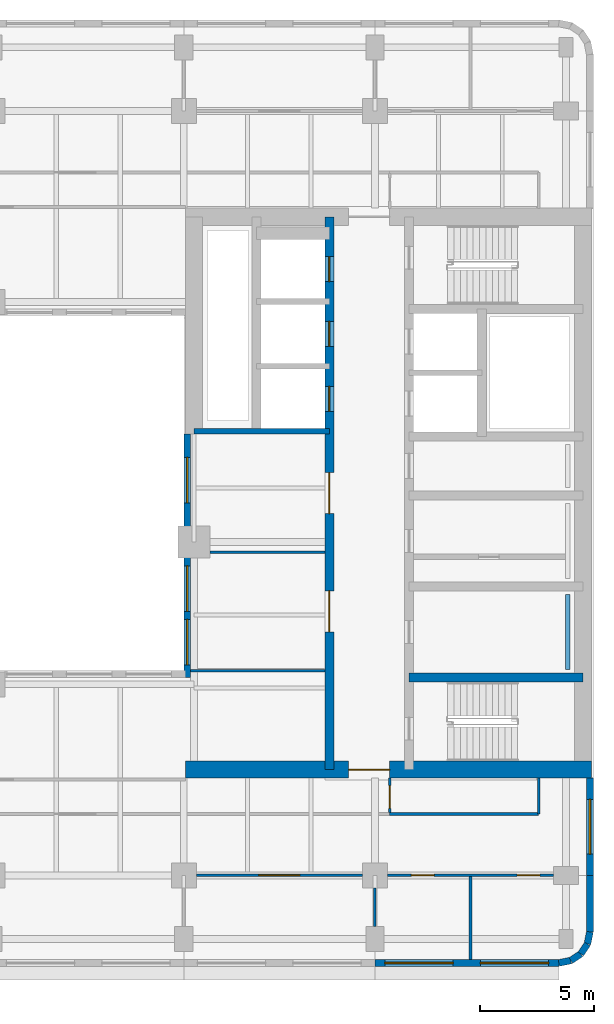
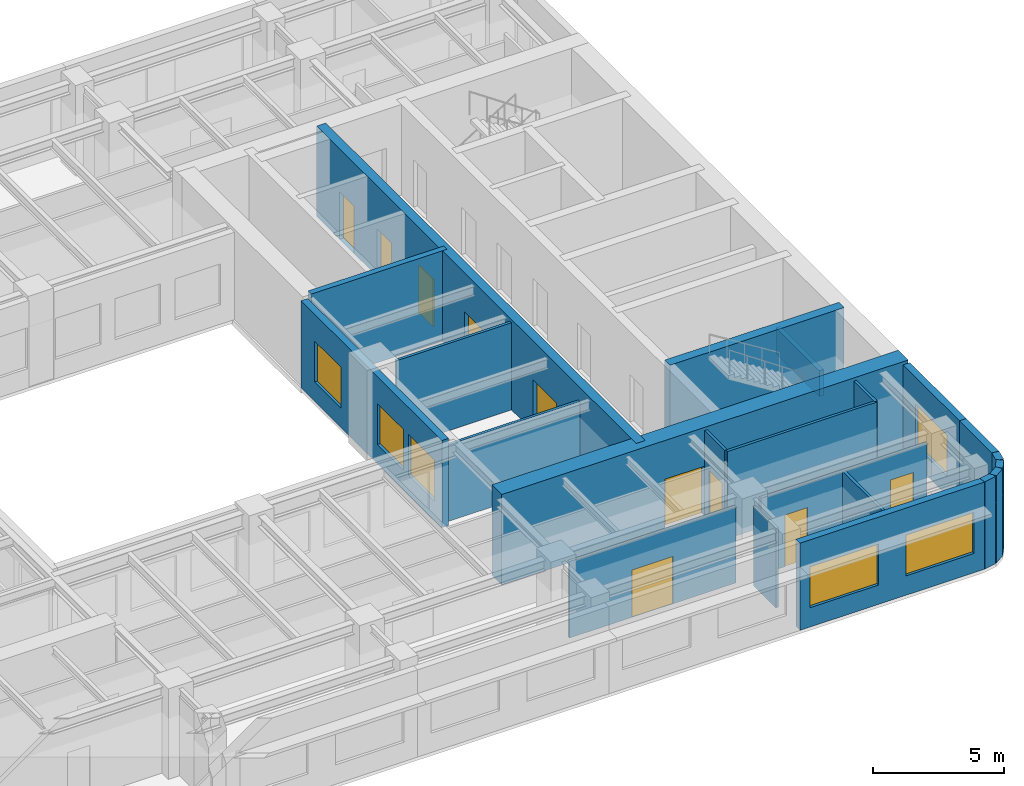
# One storey, part 5 of 11: 22 walls, 10 doors, 6 windows, 16 openings.
"""IFC4 building model written with IfcOpenShell, lengths in metres."""

from ifc_helpers import new_model, si_unit, direction, frame, frame_2d, origin, place, context, subcontext, project, spatial, rectangle, extrude, material, layer, layer_set, type_object, element, fill, save


model = new_model("IFC4")

# Units and contexts
model_context = context("Model", 3, precision=1e-05, world=origin(), true_north=direction((0.0, 1.0)))
body_context = subcontext(model_context, "Body", "Model", "MODEL_VIEW")
ifc_project = project(units=[si_unit("LENGTHUNIT", "METRE"), si_unit("AREAUNIT", "SQUARE_METRE"), si_unit("VOLUMEUNIT", "CUBIC_METRE"), si_unit("PLANEANGLEUNIT", "RADIAN"), si_unit("MASSUNIT", "GRAM", prefix="KILO")], contexts=[model_context])

# Site, building, storey
site_placement = place(None, origin())
site = spatial("IfcSite", under=ifc_project, at=site_placement, CompositionType="ELEMENT")
building_placement = place(site_placement, origin())
building = spatial("IfcBuilding", under=site, at=building_placement, Name="Claustro Exchange Tower", CompositionType="ELEMENT")
storey_placement = place(building_placement, frame((0.0, 0.0, 186.0)))
storey = spatial("IfcBuildingStorey", under=building, at=storey_placement, Name="L42", CompositionType="ELEMENT", Elevation=186.0)

# Walls
ifc_material_1 = material(Name="Laminated glass in aluminium frame", Category="aluminium")
ifc_layer_1 = layer(ifc_material_1, 0.1201171875)
ifc_layer_set_1 = layer_set([ifc_layer_1], Name="Laminated glass in aluminium frame")
wall_type_1 = type_object("IfcWallType", Name="P2 120 glazed partition", PredefinedType="PARTITIONING", material=ifc_layer_set_1)
wall_1_placement = place(storey_placement, frame((33.89794921875, 17.39990234375, 0.0), z_axis=(0.0, 0.0, 1.0), x_axis=(1.0, 0.0, 0.0)))
element("IfcWall", 1, at=wall_1_placement, inside=storey, type_object=wall_type_1, Name="Partition P2 L42", PredefinedType="PARTITIONING", context=body_context, shape_type="SweptSolid", body=[
    extrude(rectangle(XDim=5.904052734375, YDim=0.1201171875, at=frame_2d((2.9521484375, 0.0))), origin(), (0.0, 0.0, 1.0), 3.550048828125),
])
wall_2_placement = place(storey_placement, frame((34.7490234375, 22.60009765625, 0.0), z_axis=(0.0, 0.0, 1.0), x_axis=(1.0, 0.0, 0.0)))
element("IfcWall", 2, at=wall_2_placement, inside=storey, type_object=wall_type_1, Name="Partition P2 L42", PredefinedType="PARTITIONING", context=body_context, shape_type="SweptSolid", body=[
    extrude(rectangle(XDim=5.052978515625, YDim=0.1201171875, at=frame_2d((2.5263671875, 0.0))), origin(), (0.0, 0.0, 1.0), 4.050048828125),
])

# Wall, opening, door
wall_3_placement = place(storey_placement, frame((34.14892578125, 8.39990234375, 0.0), z_axis=(0.0, 0.0, 1.0), x_axis=(1.0, 0.0, 0.0)))
wall_3 = element("IfcWall", 3, at=wall_3_placement, inside=storey, type_object=wall_type_1, Name="Partition P2 L42", PredefinedType="PARTITIONING", context=body_context, shape_type="SweptSolid", body=[
    extrude(rectangle(XDim=7.302001953125, YDim=0.1201171875, at=frame_2d((3.65087890625, 0.0))), origin(), (0.0, 0.0, 1.0), 3.550048828125),
])
opening_1_placement = place(wall_3_placement, frame((2.7509765625, 0.0, 0.0)))
opening_1 = element("IfcOpeningElement", 4, at=opening_1_placement, cuts=wall_3, Name="Opening D2", PredefinedType="OPENING", context=body_context, shape_type="SweptSolid", body=[
    extrude(rectangle(XDim=1.800048828125, YDim=2.199951171875, at=frame_2d((0.89990234375, 1.10009765625))), frame((0.0, 0.070068359375, 0.0), z_axis=(0.0, -1.0, 0.0), x_axis=(1.0, 0.0, 0.0)), (0.0, 0.0, 1.0), 0.14013671875),
])
ifc_material_2 = material(Name="Timber door, oak veneer", Category="wood")
door_type_1 = type_object("IfcDoorType", Name="D2 1800 x 2200 double door", OperationType="DOUBLE_DOOR_SINGLE_SWING", PredefinedType="DOOR", material=ifc_material_2)
door_1_placement = place(opening_1_placement, frame((1.800048828125, 0.0, 0.0), z_axis=(0.0, 0.0, 1.0), x_axis=(-1.0, 0.0, 0.0)))
door_1 = element("IfcDoor", 5, at=door_1_placement, inside=storey, type_object=door_type_1, Name="Double door D2 L42", OperationType="DOUBLE_DOOR_SINGLE_SWING", OverallHeight=2.199951171875, OverallWidth=1.800048828125, PredefinedType="DOOR", context=body_context, shape_type="SweptSolid", body=[
    extrude(rectangle(XDim=1.800048828125, YDim=2.199951171875, at=frame_2d((0.89990234375, 1.10009765625))), frame((0.0, 0.02490234375, 0.0), z_axis=(0.0, -1.0, 0.0), x_axis=(1.0, 0.0, 0.0)), (0.0, 0.0, 1.0), 0.050048828125),
])
fill(opening_1, door_1)

# Wall, openings, doors
wall_4_placement = place(storey_placement, frame((42.549072265625, 8.39990234375, 0.0), z_axis=(0.0, 0.0, 1.0), x_axis=(1.0, 0.0, 0.0)))
wall_4 = element("IfcWall", 6, at=wall_4_placement, inside=storey, type_object=wall_type_1, Name="Partition P2 L42", PredefinedType="PARTITIONING", context=body_context, shape_type="SweptSolid", body=[
    extrude(rectangle(XDim=7.302001953125, YDim=0.1201171875, at=frame_2d((3.65087890625, 0.0))), origin(), (0.0, 0.0, 1.0), 3.550048828125),
])
opening_2_placement = place(wall_4_placement, frame((1.051025390625, 0.0, 0.0)))
opening_2 = element("IfcOpeningElement", 7, at=opening_2_placement, cuts=wall_4, Name="Opening D7", PredefinedType="OPENING", context=body_context, shape_type="SweptSolid", body=[
    extrude(rectangle(XDim=1.0, YDim=2.39990234375, at=frame_2d((0.5, 1.199951171875))), frame((0.0, 0.070068359375, 0.0), z_axis=(0.0, -1.0, 0.0), x_axis=(1.0, 0.0, 0.0)), (0.0, 0.0, 1.0), 0.14013671875),
])
opening_3_placement = place(wall_4_placement, frame((5.700927734375, 0.0, 0.0)))
opening_3 = element("IfcOpeningElement", 8, at=opening_3_placement, cuts=wall_4, Name="Opening D7", PredefinedType="OPENING", context=body_context, shape_type="SweptSolid", body=[
    extrude(rectangle(XDim=1.0, YDim=2.39990234375, at=frame_2d((0.5, 1.199951171875))), frame((0.0, 0.070068359375, 0.0), z_axis=(0.0, -1.0, 0.0), x_axis=(1.0, 0.0, 0.0)), (0.0, 0.0, 1.0), 0.14013671875),
])
ifc_material_3 = material(Name="Glass door in aluminium frame", Category="aluminium")
door_type_2 = type_object("IfcDoorType", Name="D7 1000 x 2400 glazed door", OperationType="SINGLE_SWING_LEFT", PredefinedType="DOOR", material=ifc_material_3)
door_2_placement = place(opening_2_placement, frame((1.0, 0.0, 0.0), z_axis=(0.0, 0.0, 1.0), x_axis=(-1.0, 0.0, 0.0)))
door_2 = element("IfcDoor", 9, at=door_2_placement, inside=storey, type_object=door_type_2, Name="Door D7 L42", OperationType="SINGLE_SWING_RIGHT", OverallHeight=2.39990234375, OverallWidth=1.0, PredefinedType="DOOR", context=body_context, shape_type="SweptSolid", body=[
    extrude(rectangle(XDim=1.0, YDim=2.39990234375, at=frame_2d((0.5, 1.199951171875))), frame((0.0, 0.02490234375, 0.0), z_axis=(0.0, -1.0, 0.0), x_axis=(1.0, 0.0, 0.0)), (0.0, 0.0, 1.0), 0.050048828125),
])
fill(opening_2, door_2)
door_3_placement = place(opening_3_placement, frame((1.0, 0.0, 0.0), z_axis=(0.0, 0.0, 1.0), x_axis=(-1.0, 0.0, 0.0)))
door_3 = element("IfcDoor", 10, at=door_3_placement, inside=storey, type_object=door_type_2, Name="Door D7 L42", OperationType="SINGLE_SWING_RIGHT", OverallHeight=2.39990234375, OverallWidth=1.0, PredefinedType="DOOR", context=body_context, shape_type="SweptSolid", body=[
    extrude(rectangle(XDim=1.0, YDim=2.39990234375, at=frame_2d((0.5, 1.199951171875))), frame((0.0, 0.02490234375, 0.0), z_axis=(0.0, -1.0, 0.0), x_axis=(1.0, 0.0, 0.0)), (0.0, 0.0, 1.0), 0.050048828125),
])
fill(opening_3, door_3)

# Walls
wall_5_placement = place(storey_placement, frame((42.0, 6.14892578125, 0.0), z_axis=(0.0, 0.0, 1.0), x_axis=(0.0, 1.0, 0.0)))
element("IfcWall", 11, at=wall_5_placement, inside=storey, type_object=wall_type_1, Name="Partition P2 L42", PredefinedType="PARTITIONING", context=body_context, shape_type="SweptSolid", body=[
    extrude(rectangle(XDim=1.7021484375, YDim=0.1201171875, at=frame_2d((0.85107421875, 0.0))), origin(), (0.0, 0.0, 1.0), 3.68994140625),
])
wall_6_placement = place(storey_placement, frame((46.199951171875, 4.699951171875, 0.0), z_axis=(0.0, 0.0, 1.0), x_axis=(0.0, 1.0, 0.0)))
element("IfcWall", 12, at=wall_6_placement, inside=storey, type_object=wall_type_1, Name="Partition P2 L42", PredefinedType="PARTITIONING", context=body_context, shape_type="SweptSolid", body=[
    extrude(rectangle(XDim=3.64208984375, YDim=0.1201171875, at=frame_2d((1.821044921875, 0.0))), origin(), (0.0, 0.0, 1.0), 3.550048828125),
])

# Wall, opening, door
wall_7_placement = place(storey_placement, frame((42.64990234375, 11.157958984375, 0.0), z_axis=(0.0, 0.0, 1.0), x_axis=(0.0, 1.0, 0.0)))
wall_7 = element("IfcWall", 13, at=wall_7_placement, inside=storey, type_object=wall_type_1, Name="Partition P2 L42", PredefinedType="PARTITIONING", context=body_context, shape_type="SweptSolid", body=[
    extrude(rectangle(XDim=1.51806640625, YDim=0.1201171875, at=frame_2d((0.759033203125, 0.0))), origin(), (0.0, 0.0, 1.0), 4.050048828125),
])
opening_4_placement = place(wall_7_placement, frame((0.19189453125, 0.0, 0.0)))
opening_4 = element("IfcOpeningElement", 14, at=opening_4_placement, cuts=wall_7, Name="Opening D7", PredefinedType="OPENING", context=body_context, shape_type="SweptSolid", body=[
    extrude(rectangle(XDim=1.0, YDim=2.39990234375, at=frame_2d((0.5, 1.199951171875))), frame((0.0, 0.070068359375, 0.0), z_axis=(0.0, -1.0, 0.0), x_axis=(1.0, 0.0, 0.0)), (0.0, 0.0, 1.0), 0.14013671875),
])
door_4_placement = place(opening_4_placement, frame((1.0, 0.0, 0.0), z_axis=(0.0, 0.0, 1.0), x_axis=(-1.0, 0.0, 0.0)))
door_4 = element("IfcDoor", 15, at=door_4_placement, inside=storey, type_object=door_type_2, Name="Door D7 L42", OperationType="SINGLE_SWING_RIGHT", OverallHeight=2.39990234375, OverallWidth=1.0, PredefinedType="DOOR", context=body_context, shape_type="SweptSolid", body=[
    extrude(rectangle(XDim=1.0, YDim=2.39990234375, at=frame_2d((0.5, 1.199951171875))), frame((0.0, 0.02490234375, 0.0), z_axis=(0.0, -1.0, 0.0), x_axis=(1.0, 0.0, 0.0)), (0.0, 0.0, 1.0), 0.050048828125),
])
fill(opening_4, door_4)

# Walls
wall_8_placement = place(storey_placement, frame((42.64794921875, 11.10009765625, 0.0), z_axis=(0.0, 0.0, 1.0), x_axis=(1.0, 0.0, 0.0)))
element("IfcWall", 16, at=wall_8_placement, inside=storey, type_object=wall_type_1, Name="Partition P2 L42", PredefinedType="PARTITIONING", context=body_context, shape_type="SweptSolid", body=[
    extrude(rectangle(XDim=6.552001953125, YDim=0.1201171875, at=frame_2d((3.27587890625, 0.0))), origin(), (0.0, 0.0, 1.0), 4.050048828125),
])
wall_9_placement = place(storey_placement, frame((49.199951171875, 11.10009765625, 0.0), z_axis=(0.0, 0.0, 1.0), x_axis=(0.0, 1.0, 0.0)))
element("IfcWall", 17, at=wall_9_placement, inside=storey, type_object=wall_type_1, Name="Partition P2 L42", PredefinedType="PARTITIONING", context=body_context, shape_type="SweptSolid", body=[
    extrude(rectangle(XDim=1.575927734375, YDim=0.1201171875, at=frame_2d((0.7880859375, 0.0))), origin(), (0.0, 0.0, 1.0), 4.050048828125),
])

# Wall, openings, windows
ifc_material_4 = material(Name="Concrete HA-40 (C40/50), precast, white cement, acid-etched", Category="concrete")
ifc_layer_2 = layer(ifc_material_4, 0.300048828125)
ifc_layer_set_2 = layer_set([ifc_layer_2], Name="Concrete HA-40 (C40/50), precast, white cement, acid-etched")
wall_type_2 = type_object("IfcWallType", Name="PC1 300 precast concrete pier panel", PredefinedType="SOLIDWALL", material=ifc_layer_set_2)
wall_10_placement = place(storey_placement, frame((50.085205078125, 4.550048828125, 0.0), z_axis=(0.0, 0.0, 1.0), x_axis=(-1.0, 0.0, 0.0)))
wall_10 = element("IfcWall", 18, at=wall_10_placement, inside=storey, type_object=wall_type_2, Name="Precast pier panel PC1 L42", PredefinedType="SOLIDWALL", context=body_context, shape_type="SweptSolid", body=[
    extrude(rectangle(XDim=8.085205078125, YDim=0.300048828125, at=frame_2d((4.04248046875, 0.0))), origin(), (0.0, 0.0, 1.0), 4.050048828125),
])
opening_5_placement = place(wall_10_placement, frame((0.442626953125, 0.0, 0.89990234375)))
opening_5 = element("IfcOpeningElement", 19, at=opening_5_placement, cuts=wall_10, Name="Opening W1", PredefinedType="OPENING", context=body_context, shape_type="SweptSolid", body=[
    extrude(rectangle(XDim=3.0, YDim=1.89990234375, at=frame_2d((1.5, 0.949951171875))), frame((0.0, 0.159912109375, 0.0), z_axis=(0.0, -1.0, 0.0), x_axis=(1.0, 0.0, 0.0)), (0.0, 0.0, 1.0), 0.320068359375),
])
opening_6_placement = place(wall_10_placement, frame((4.642578125, 0.0, 0.89990234375)))
opening_6 = element("IfcOpeningElement", 20, at=opening_6_placement, cuts=wall_10, Name="Opening W1", PredefinedType="OPENING", context=body_context, shape_type="SweptSolid", body=[
    extrude(rectangle(XDim=3.0, YDim=1.89990234375, at=frame_2d((1.5, 0.949951171875))), frame((0.0, 0.159912109375, 0.0), z_axis=(0.0, -1.0, 0.0), x_axis=(1.0, 0.0, 0.0)), (0.0, 0.0, 1.0), 0.320068359375),
])
ifc_material_5 = material(Name="Aluminium frame, clear double glazing", Category="aluminium")
window_type_1 = type_object("IfcWindowType", Name="W1 3000 x 1900 window", PartitioningType="SINGLE_PANEL", PredefinedType="WINDOW", material=ifc_material_5)
window_1_placement = place(opening_5_placement, origin())
window_1 = element("IfcWindow", 21, at=window_1_placement, inside=storey, type_object=window_type_1, Name="Window W1 L42", OverallHeight=1.89990234375, OverallWidth=3.0, PartitioningType="SINGLE_PANEL", PredefinedType="WINDOW", context=body_context, shape_type="SweptSolid", body=[
    extrude(rectangle(XDim=3.0, YDim=1.89990234375, at=frame_2d((1.5, 0.949951171875))), frame((0.0, 0.030029296875, 0.0), z_axis=(0.0, -1.0, 0.0), x_axis=(1.0, 0.0, 0.0)), (0.0, 0.0, 1.0), 0.06005859375),
])
fill(opening_5, window_1)
window_2_placement = place(opening_6_placement, origin())
window_2 = element("IfcWindow", 22, at=window_2_placement, inside=storey, type_object=window_type_1, Name="Window W1 L42", OverallHeight=1.89990234375, OverallWidth=3.0, PartitioningType="SINGLE_PANEL", PredefinedType="WINDOW", context=body_context, shape_type="SweptSolid", body=[
    extrude(rectangle(XDim=3.0, YDim=1.89990234375, at=frame_2d((1.5, 0.949951171875))), frame((0.0, 0.030029296875, 0.0), z_axis=(0.0, -1.0, 0.0), x_axis=(1.0, 0.0, 0.0)), (0.0, 0.0, 1.0), 0.06005859375),
])
fill(opening_6, window_2)

# Wall, opening, window
wall_11_placement = place(storey_placement, frame((51.449951171875, 12.675048828125, 0.0), z_axis=(0.0, 0.0, 1.0), x_axis=(0.0, -1.0, 0.0)))
wall_11 = element("IfcWall", 23, at=wall_11_placement, inside=storey, type_object=wall_type_2, Name="Precast pier panel PC1 L42", PredefinedType="SOLIDWALL", context=body_context, shape_type="SweptSolid", body=[
    extrude(rectangle(XDim=4.275146484375, YDim=0.300048828125, at=frame_2d((2.1376953125, 0.0))), origin(), (0.0, 0.0, 1.0), 4.050048828125),
])
opening_7_placement = place(wall_11_placement, frame((0.9375, 0.0, 0.89990234375)))
opening_7 = element("IfcOpeningElement", 24, at=opening_7_placement, cuts=wall_11, Name="Opening W2", PredefinedType="OPENING", context=body_context, shape_type="SweptSolid", body=[
    extrude(rectangle(XDim=2.39990234375, YDim=1.89990234375, at=frame_2d((1.199951171875, 0.949951171875))), frame((0.0, 0.159912109375, 0.0), z_axis=(0.0, -1.0, 0.0), x_axis=(1.0, 0.0, 0.0)), (0.0, 0.0, 1.0), 0.320068359375),
])
ifc_material_6 = material(Name="Aluminium frame, clear double glazing", Category="aluminium")
window_type_2 = type_object("IfcWindowType", Name="W2 2400 x 1900 window", PartitioningType="SINGLE_PANEL", PredefinedType="WINDOW", material=ifc_material_6)
window_3_placement = place(opening_7_placement, origin())
window_3 = element("IfcWindow", 25, at=window_3_placement, inside=storey, type_object=window_type_2, Name="Window W2 L42", OverallHeight=1.89990234375, OverallWidth=2.39990234375, PartitioningType="SINGLE_PANEL", PredefinedType="WINDOW", context=body_context, shape_type="SweptSolid", body=[
    extrude(rectangle(XDim=2.39990234375, YDim=1.89990234375, at=frame_2d((1.199951171875, 0.949951171875))), frame((0.0, 0.030029296875, 0.0), z_axis=(0.0, -1.0, 0.0), x_axis=(1.0, 0.0, 0.0)), (0.0, 0.0, 1.0), 0.06005859375),
])
fill(opening_7, window_3)

# Walls
wall_12_placement = place(storey_placement, frame((51.449951171875, 8.39990234375, 0.0), z_axis=(0.0, 0.0, 1.0), x_axis=(0.0, -1.0, 0.0)))
element("IfcWall", 26, at=wall_12_placement, inside=storey, type_object=wall_type_2, Name="Precast pier panel PC1 L42", PredefinedType="SOLIDWALL", context=body_context, shape_type="SweptSolid", body=[
    extrude(rectangle(XDim=2.485107421875, YDim=0.300048828125, at=frame_2d((1.24267578125, 0.0))), origin(), (0.0, 0.0, 1.0), 4.050048828125),
])
wall_13_placement = place(storey_placement, frame((51.449951171875, 5.914794921875, 0.0), z_axis=(0.0, 0.0, 1.0), x_axis=(-0.195073962632, -0.980788534345, 0.0)))
element("IfcWall", 27, at=wall_13_placement, inside=storey, type_object=wall_type_2, Name="Precast pier panel PC1 L42", PredefinedType="SOLIDWALL", context=body_context, shape_type="SweptSolid", body=[
    extrude(rectangle(XDim=0.540771484375, YDim=0.300048828125, at=frame_2d((0.2705078125, 0.0))), origin(), (0.0, 0.0, 1.0), 4.050048828125),
])
for number, where, z_axis, x_axis, name in (
    (28, (51.344482421875, 5.384521484375, 0.0), (0.0, 0.0, 1.0), (-0.555557463938, -0.831478144188, 0.0), "Precast pier panel PC1 L42"),
    (29, (51.052490234375, 4.947509765625, 0.0), (0.0, 0.0, 1.0), (-0.831478144188, -0.555557463938, 0.0), "Precast pier panel PC1 L42"),
):
    element("IfcWall", number, at=place(storey_placement, frame(where, z_axis=z_axis, x_axis=x_axis)), inside=storey, type_object=wall_type_2, Name=name, PredefinedType="SOLIDWALL", context=body_context, shape_type="SweptSolid", body=[
        extrude(rectangle(XDim=0.525634765625, YDim=0.300048828125, at=frame_2d((0.2626953125, 0.0))), origin(), (0.0, 0.0, 1.0), 4.050048828125),
    ])
wall_14_placement = place(storey_placement, frame((50.615478515625, 4.655517578125, 0.0), z_axis=(0.0, 0.0, 1.0), x_axis=(-0.980788534345, -0.195073962632, 0.0)))
element("IfcWall", 30, at=wall_14_placement, inside=storey, type_object=wall_type_2, Name="Precast pier panel PC1 L42", PredefinedType="SOLIDWALL", context=body_context, shape_type="SweptSolid", body=[
    extrude(rectangle(XDim=0.540771484375, YDim=0.300048828125, at=frame_2d((0.2705078125, 0.0))), origin(), (0.0, 0.0, 1.0), 4.050048828125),
])

# Wall, openings, windows
wall_15_placement = place(storey_placement, frame((33.75, 17.10009765625, 0.0), z_axis=(0.0, 0.0, 1.0), x_axis=(0.0, 1.0, 0.0)))
wall_15 = element("IfcWall", 31, at=wall_15_placement, inside=storey, type_object=wall_type_2, Name="Precast pier panel PC1 L42", PredefinedType="SOLIDWALL", context=body_context, shape_type="SweptSolid", body=[
    extrude(rectangle(XDim=10.699951171875, YDim=0.300048828125, at=frame_2d((5.35009765625, 0.0))), origin(), (0.0, 0.0, 1.0), 4.050048828125),
])
opening_8_placement = place(wall_15_placement, frame((0.550048828125, 0.0, 0.89990234375)))
opening_8 = element("IfcOpeningElement", 32, at=opening_8_placement, cuts=wall_15, Name="Opening W4", PredefinedType="OPENING", context=body_context, shape_type="SweptSolid", body=[
    extrude(rectangle(XDim=2.0, YDim=1.89990234375, at=frame_2d((1.0, 0.949951171875))), frame((0.0, 0.159912109375, 0.0), z_axis=(0.0, -1.0, 0.0), x_axis=(1.0, 0.0, 0.0)), (0.0, 0.0, 1.0), 0.320068359375),
])
opening_9_placement = place(wall_15_placement, frame((2.89990234375, 0.0, 0.89990234375)))
opening_9 = element("IfcOpeningElement", 33, at=opening_9_placement, cuts=wall_15, Name="Opening W4", PredefinedType="OPENING", context=body_context, shape_type="SweptSolid", body=[
    extrude(rectangle(XDim=2.0, YDim=1.89990234375, at=frame_2d((1.0, 0.949951171875))), frame((0.0, 0.159912109375, 0.0), z_axis=(0.0, -1.0, 0.0), x_axis=(1.0, 0.0, 0.0)), (0.0, 0.0, 1.0), 0.320068359375),
])
opening_10_placement = place(wall_15_placement, frame((7.675048828125, 0.0, 0.89990234375)))
opening_10 = element("IfcOpeningElement", 34, at=opening_10_placement, cuts=wall_15, Name="Opening W4", PredefinedType="OPENING", context=body_context, shape_type="SweptSolid", body=[
    extrude(rectangle(XDim=2.0, YDim=1.89990234375, at=frame_2d((1.0, 0.949951171875))), frame((0.0, 0.159912109375, 0.0), z_axis=(0.0, -1.0, 0.0), x_axis=(1.0, 0.0, 0.0)), (0.0, 0.0, 1.0), 0.320068359375),
])
ifc_material_7 = material(Name="Aluminium frame, clear double glazing", Category="aluminium")
window_type_3 = type_object("IfcWindowType", Name="W4 2000 x 1900 light well window", PartitioningType="SINGLE_PANEL", PredefinedType="WINDOW", material=ifc_material_7)
window_4_placement = place(opening_8_placement, origin())
window_4 = element("IfcWindow", 35, at=window_4_placement, inside=storey, type_object=window_type_3, Name="Window W4 L42", OverallHeight=1.89990234375, OverallWidth=2.0, PartitioningType="SINGLE_PANEL", PredefinedType="WINDOW", context=body_context, shape_type="SweptSolid", body=[
    extrude(rectangle(XDim=2.0, YDim=1.89990234375, at=frame_2d((1.0, 0.949951171875))), frame((0.0, 0.030029296875, 0.0), z_axis=(0.0, -1.0, 0.0), x_axis=(1.0, 0.0, 0.0)), (0.0, 0.0, 1.0), 0.06005859375),
])
fill(opening_8, window_4)
window_5_placement = place(opening_9_placement, origin())
window_5 = element("IfcWindow", 36, at=window_5_placement, inside=storey, type_object=window_type_3, Name="Window W4 L42", OverallHeight=1.89990234375, OverallWidth=2.0, PartitioningType="SINGLE_PANEL", PredefinedType="WINDOW", context=body_context, shape_type="SweptSolid", body=[
    extrude(rectangle(XDim=2.0, YDim=1.89990234375, at=frame_2d((1.0, 0.949951171875))), frame((0.0, 0.030029296875, 0.0), z_axis=(0.0, -1.0, 0.0), x_axis=(1.0, 0.0, 0.0)), (0.0, 0.0, 1.0), 0.06005859375),
])
fill(opening_9, window_5)
window_6_placement = place(opening_10_placement, origin())
window_6 = element("IfcWindow", 37, at=window_6_placement, inside=storey, type_object=window_type_3, Name="Window W4 L42", OverallHeight=1.89990234375, OverallWidth=2.0, PartitioningType="SINGLE_PANEL", PredefinedType="WINDOW", context=body_context, shape_type="SweptSolid", body=[
    extrude(rectangle(XDim=2.0, YDim=1.89990234375, at=frame_2d((1.0, 0.949951171875))), frame((0.0, 0.030029296875, 0.0), z_axis=(0.0, -1.0, 0.0), x_axis=(1.0, 0.0, 0.0)), (0.0, 0.0, 1.0), 0.06005859375),
])
fill(opening_10, window_6)

# Wall
ifc_material_8 = material(Name="Gypsum board on steel studs, tiled", Category="steel")
ifc_layer_3 = layer(ifc_material_8, 0.199951171875)
ifc_layer_set_3 = layer_set([ifc_layer_3], Name="Gypsum board on steel studs, tiled")
wall_type_3 = type_object("IfcWallType", Name="PW1 200 WC duct wall", PredefinedType="PLUMBINGWALL", material=ifc_layer_set_3)
wall_16_placement = place(storey_placement, frame((50.47509765625, 17.449951171875, 0.0), z_axis=(0.0, 0.0, 1.0), x_axis=(0.0, 1.0, 0.0)))
element("IfcWall", 38, at=wall_16_placement, inside=storey, type_object=wall_type_3, Name="WC duct wall PW1 L42", PredefinedType="PLUMBINGWALL", context=body_context, shape_type="SweptSolid", body=[
    extrude(rectangle(XDim=3.300048828125, YDim=0.199951171875, at=frame_2d((1.64990234375, 0.0))), origin(), (0.0, 0.0, 1.0), 1.199951171875),
])

# Wall, opening, door
ifc_material_9 = material(Name="Concrete HA-70 (C70/85)", Category="concrete")
ifc_layer_4 = layer(ifc_material_9, 0.75)
ifc_layer_set_4 = layer_set([ifc_layer_4], Name="Concrete HA-70 (C70/85)")
wall_type_4 = type_object("IfcWallType", Name="SW2 750 core shear wall", PredefinedType="SHEAR", material=ifc_layer_set_4)
wall_17_placement = place(storey_placement, frame((33.675048828125, 13.050048828125, 0.0), z_axis=(0.0, 0.0, 1.0), x_axis=(1.0, 0.0, 0.0)))
wall_17 = element("IfcWall", 39, at=wall_17_placement, inside=storey, type_object=wall_type_4, Name="Core wall SW2 E core S face L42", PredefinedType="SHEAR", context=body_context, shape_type="SweptSolid", body=[
    extrude(rectangle(XDim=17.849853515625, YDim=0.75, at=frame_2d((8.9248046875, 0.0))), origin(), (0.0, 0.0, 1.0), 4.199951171875),
])
opening_11_placement = place(wall_17_placement, frame((7.175048828125, 0.0, 0.0)))
opening_11 = element("IfcOpeningElement", 40, at=opening_11_placement, cuts=wall_17, Name="Opening D3", PredefinedType="OPENING", context=body_context, shape_type="SweptSolid", body=[
    extrude(rectangle(XDim=1.800048828125, YDim=2.39990234375, at=frame_2d((0.89990234375, 1.199951171875))), frame((0.0, 0.385009765625, 0.0), z_axis=(0.0, -1.0, 0.0), x_axis=(1.0, 0.0, 0.0)), (0.0, 0.0, 1.0), 0.77001953125),
])
ifc_material_10 = material(Name="Steel fire door, painted", Category="steel")
door_type_3 = type_object("IfcDoorType", Name="D3 1800 x 2400 fire-rated lobby double door", OperationType="DOUBLE_DOOR_SINGLE_SWING", PredefinedType="DOOR", material=ifc_material_10)
door_5_placement = place(opening_11_placement, origin())
door_5 = element("IfcDoor", 41, at=door_5_placement, inside=storey, type_object=door_type_3, Name="Lift lobby door D3 L42", OperationType="DOUBLE_DOOR_SINGLE_SWING", OverallHeight=2.39990234375, OverallWidth=1.800048828125, PredefinedType="DOOR", context=body_context, shape_type="SweptSolid", body=[
    extrude(rectangle(XDim=1.800048828125, YDim=2.39990234375, at=frame_2d((0.89990234375, 1.199951171875))), frame((0.0, 0.02490234375, 0.0), z_axis=(0.0, -1.0, 0.0), x_axis=(1.0, 0.0, 0.0)), (0.0, 0.0, 1.0), 0.050048828125),
])
fill(opening_11, door_5)

# Wall, openings, doors
ifc_material_11 = material(Name="Concrete HA-50 (C50/60)", Category="concrete")
ifc_layer_5 = layer(ifc_material_11, 0.39990234375)
ifc_layer_set_5 = layer_set([ifc_layer_5], Name="Concrete HA-50 (C50/60)")
wall_type_5 = type_object("IfcWallType", Name="SW4 400 internal core wall", PredefinedType="SHEAR", material=ifc_layer_set_5)
wall_18_placement = place(storey_placement, frame((40.0, 13.050048828125, 0.0), z_axis=(0.0, 0.0, 1.0), x_axis=(0.0, 1.0, 0.0)))
wall_18 = element("IfcWall", 42, at=wall_18_placement, inside=storey, type_object=wall_type_5, Name="Internal core wall SW4 E core L42", PredefinedType="SHEAR", context=body_context, shape_type="SweptSolid", body=[
    extrude(rectangle(XDim=24.300048828125, YDim=0.39990234375, at=frame_2d((12.14990234375, 0.0))), origin(), (0.0, 0.0, 1.0), 4.199951171875),
])
opening_12_placement = place(wall_18_placement, frame((15.75, 0.0, 0.0)))
opening_12 = element("IfcOpeningElement", 43, at=opening_12_placement, cuts=wall_18, Name="Opening LD", PredefinedType="OPENING", context=body_context, shape_type="SweptSolid", body=[
    extrude(rectangle(XDim=1.10009765625, YDim=2.199951171875, at=frame_2d((0.550048828125, 1.10009765625))), frame((0.0, 0.2099609375, 0.0), z_axis=(0.0, -1.0, 0.0), x_axis=(1.0, 0.0, 0.0)), (0.0, 0.0, 1.0), 0.419921875),
])
opening_13_placement = place(wall_18_placement, frame((18.60009765625, 0.0, 0.0)))
opening_13 = element("IfcOpeningElement", 44, at=opening_13_placement, cuts=wall_18, Name="Opening LD", PredefinedType="OPENING", context=body_context, shape_type="SweptSolid", body=[
    extrude(rectangle(XDim=1.10009765625, YDim=2.199951171875, at=frame_2d((0.550048828125, 1.10009765625))), frame((0.0, 0.2099609375, 0.0), z_axis=(0.0, -1.0, 0.0), x_axis=(1.0, 0.0, 0.0)), (0.0, 0.0, 1.0), 0.419921875),
])
opening_14_placement = place(wall_18_placement, frame((21.449951171875, 0.0, 0.0)))
opening_14 = element("IfcOpeningElement", 45, at=opening_14_placement, cuts=wall_18, Name="Opening LD", PredefinedType="OPENING", context=body_context, shape_type="SweptSolid", body=[
    extrude(rectangle(XDim=1.10009765625, YDim=2.199951171875, at=frame_2d((0.550048828125, 1.10009765625))), frame((0.0, 0.2099609375, 0.0), z_axis=(0.0, -1.0, 0.0), x_axis=(1.0, 0.0, 0.0)), (0.0, 0.0, 1.0), 0.419921875),
])
opening_15_placement = place(wall_18_placement, frame((6.050048828125, 0.0, 0.0)))
opening_15 = element("IfcOpeningElement", 46, at=opening_15_placement, cuts=wall_18, Name="Opening D3", PredefinedType="OPENING", context=body_context, shape_type="SweptSolid", body=[
    extrude(rectangle(XDim=1.800048828125, YDim=2.39990234375, at=frame_2d((0.89990234375, 1.199951171875))), frame((0.0, 0.2099609375, 0.0), z_axis=(0.0, -1.0, 0.0), x_axis=(1.0, 0.0, 0.0)), (0.0, 0.0, 1.0), 0.419921875),
])
opening_16_placement = place(wall_18_placement, frame((11.25, 0.0, 0.0)))
opening_16 = element("IfcOpeningElement", 47, at=opening_16_placement, cuts=wall_18, Name="Opening D3", PredefinedType="OPENING", context=body_context, shape_type="SweptSolid", body=[
    extrude(rectangle(XDim=1.800048828125, YDim=2.39990234375, at=frame_2d((0.89990234375, 1.199951171875))), frame((0.0, 0.2099609375, 0.0), z_axis=(0.0, -1.0, 0.0), x_axis=(1.0, 0.0, 0.0)), (0.0, 0.0, 1.0), 0.419921875),
])
door_6_placement = place(opening_15_placement, origin())
door_6 = element("IfcDoor", 48, at=door_6_placement, inside=storey, type_object=door_type_3, Name="Core zone door D3 L42", OperationType="DOUBLE_DOOR_SINGLE_SWING", OverallHeight=2.39990234375, OverallWidth=1.800048828125, PredefinedType="DOOR", context=body_context, shape_type="SweptSolid", body=[
    extrude(rectangle(XDim=1.800048828125, YDim=2.39990234375, at=frame_2d((0.89990234375, 1.199951171875))), frame((0.0, 0.02490234375, 0.0), z_axis=(0.0, -1.0, 0.0), x_axis=(1.0, 0.0, 0.0)), (0.0, 0.0, 1.0), 0.050048828125),
])
fill(opening_15, door_6)
door_7_placement = place(opening_16_placement, origin())
door_7 = element("IfcDoor", 49, at=door_7_placement, inside=storey, type_object=door_type_3, Name="Core zone door D3 L42", OperationType="DOUBLE_DOOR_SINGLE_SWING", OverallHeight=2.39990234375, OverallWidth=1.800048828125, PredefinedType="DOOR", context=body_context, shape_type="SweptSolid", body=[
    extrude(rectangle(XDim=1.800048828125, YDim=2.39990234375, at=frame_2d((0.89990234375, 1.199951171875))), frame((0.0, 0.02490234375, 0.0), z_axis=(0.0, -1.0, 0.0), x_axis=(1.0, 0.0, 0.0)), (0.0, 0.0, 1.0), 0.050048828125),
])
fill(opening_16, door_7)
ifc_material_12 = material(Name="Stainless steel sliding door", Category="steel")
door_type_4 = type_object("IfcDoorType", Name="LD 1100 x 2200 lift landing door", OperationType="DOUBLE_DOOR_SLIDING", PredefinedType="DOOR", material=ifc_material_12)
door_8_placement = place(opening_12_placement, origin())
door_8 = element("IfcDoor", 50, at=door_8_placement, inside=storey, type_object=door_type_4, Name="Lift landing door LHE1 LD L42", OperationType="DOUBLE_DOOR_SLIDING", OverallHeight=2.199951171875, OverallWidth=1.10009765625, PredefinedType="DOOR", context=body_context, shape_type="SweptSolid", body=[
    extrude(rectangle(XDim=1.10009765625, YDim=2.199951171875, at=frame_2d((0.550048828125, 1.10009765625))), frame((0.0, 0.02490234375, 0.0), z_axis=(0.0, -1.0, 0.0), x_axis=(1.0, 0.0, 0.0)), (0.0, 0.0, 1.0), 0.050048828125),
])
fill(opening_12, door_8)
door_9_placement = place(opening_13_placement, origin())
door_9 = element("IfcDoor", 51, at=door_9_placement, inside=storey, type_object=door_type_4, Name="Lift landing door LHE2 LD L42", OperationType="DOUBLE_DOOR_SLIDING", OverallHeight=2.199951171875, OverallWidth=1.10009765625, PredefinedType="DOOR", context=body_context, shape_type="SweptSolid", body=[
    extrude(rectangle(XDim=1.10009765625, YDim=2.199951171875, at=frame_2d((0.550048828125, 1.10009765625))), frame((0.0, 0.02490234375, 0.0), z_axis=(0.0, -1.0, 0.0), x_axis=(1.0, 0.0, 0.0)), (0.0, 0.0, 1.0), 0.050048828125),
])
fill(opening_13, door_9)
door_10_placement = place(opening_14_placement, origin())
door_10 = element("IfcDoor", 52, at=door_10_placement, inside=storey, type_object=door_type_4, Name="Lift landing door LSE1 LD L42", OperationType="DOUBLE_DOOR_SLIDING", OverallHeight=2.199951171875, OverallWidth=1.10009765625, PredefinedType="DOOR", context=body_context, shape_type="SweptSolid", body=[
    extrude(rectangle(XDim=1.10009765625, YDim=2.199951171875, at=frame_2d((0.550048828125, 1.10009765625))), frame((0.0, 0.02490234375, 0.0), z_axis=(0.0, -1.0, 0.0), x_axis=(1.0, 0.0, 0.0)), (0.0, 0.0, 1.0), 0.050048828125),
])
fill(opening_14, door_10)

# Walls
wall_19_placement = place(storey_placement, frame((51.14990234375, 17.10009765625, 0.0), z_axis=(0.0, 0.0, 1.0), x_axis=(-1.0, 0.0, 0.0)))
element("IfcWall", 53, at=wall_19_placement, inside=storey, type_object=wall_type_5, Name="Internal core wall SW4 E core L42", PredefinedType="SHEAR", context=body_context, shape_type="SweptSolid", body=[
    extrude(rectangle(XDim=7.64990234375, YDim=0.39990234375, at=frame_2d((3.824951171875, 0.0))), origin(), (0.0, 0.0, 1.0), 4.199951171875),
])
ifc_material_13 = material(Name="Concrete HA-50 (C50/60)", Category="concrete")
ifc_layer_6 = layer(ifc_material_13, 0.25)
ifc_layer_set_6 = layer_set([ifc_layer_6], Name="Concrete HA-50 (C50/60)")
wall_type_6 = type_object("IfcWallType", Name="SW5 250 lift shaft divider wall", PredefinedType="SHEAR", material=ifc_layer_set_6)
wall_20_placement = place(storey_placement, frame((40.0, 27.925048828125, 0.0), z_axis=(0.0, 0.0, 1.0), x_axis=(-1.0, 0.0, 0.0)))
element("IfcWall", 54, at=wall_20_placement, inside=storey, type_object=wall_type_6, Name="Core step wall E core L42", PredefinedType="SHEAR", context=body_context, shape_type="SweptSolid", body=[
    extrude(rectangle(XDim=5.949951171875, YDim=0.25, at=frame_2d((2.97509765625, 0.0))), origin(), (0.0, 0.0, 1.0), 4.199951171875),
])

save(model, "model.ifc")
